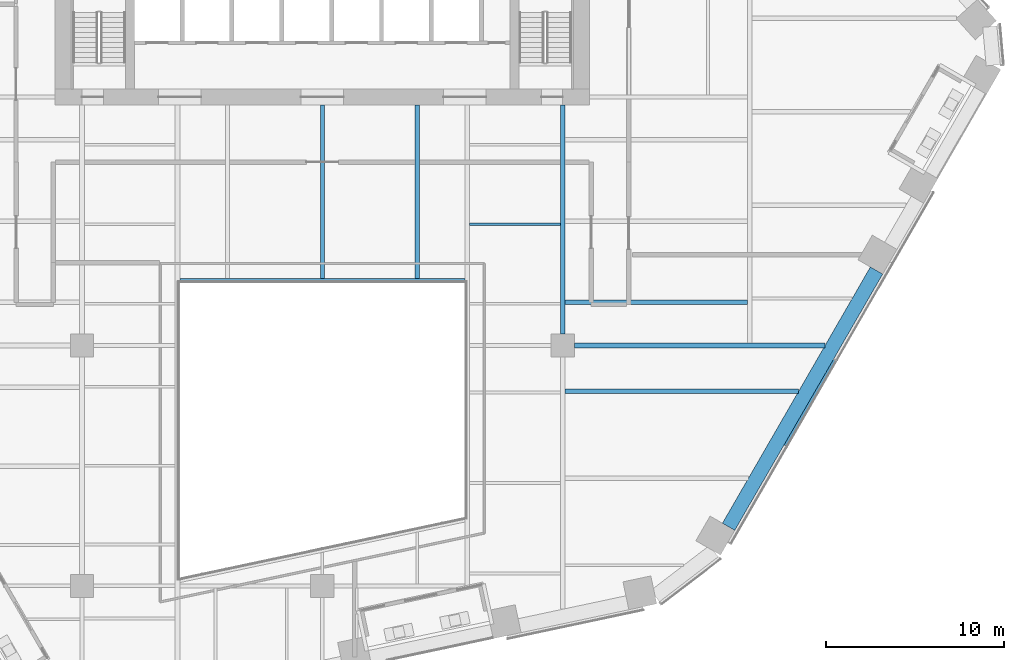
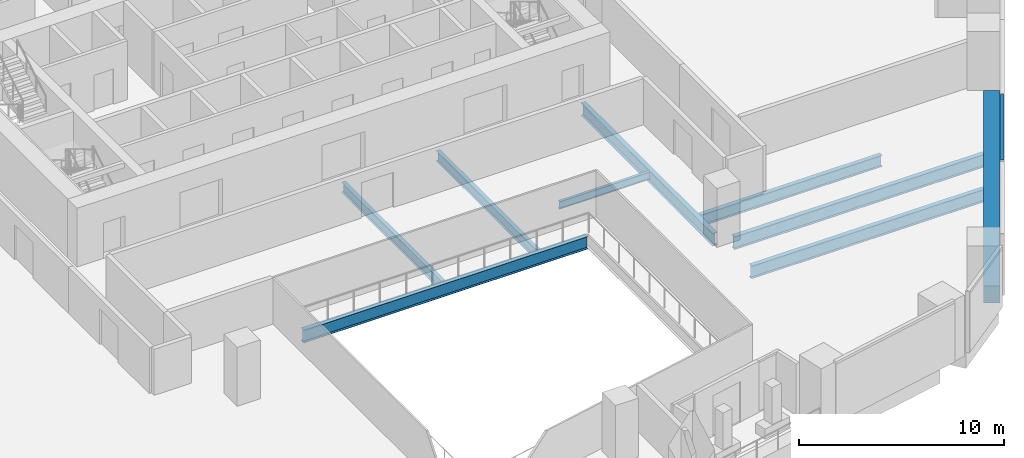
# One storey, part 8 of 28: 9 beams, 1 member, 1 element without a shape of its own.
"""IFC4 building model written with IfcOpenShell, lengths in metres."""

from ifc_helpers import new_model, si_unit, direction, frame, origin, origin_2d, place, context, subcontext, project, spatial, rectangle, i_section, extrude, material, layer, layer_set, material_profile, profile_set, type_object, element, aggregate, save


model = new_model("IFC4")

# Units and contexts
model_context = context("Model", 3, precision=1e-05, world=origin(), true_north=direction((0.0, 1.0)))
body_context = subcontext(model_context, "Body", "Model", "MODEL_VIEW")
ifc_project = project(units=[si_unit("LENGTHUNIT", "METRE"), si_unit("AREAUNIT", "SQUARE_METRE"), si_unit("VOLUMEUNIT", "CUBIC_METRE"), si_unit("PLANEANGLEUNIT", "RADIAN"), si_unit("MASSUNIT", "GRAM", prefix="KILO")], contexts=[model_context])

# Site, building, storey
site_placement = place(None, origin())
site = spatial("IfcSite", under=ifc_project, at=site_placement, CompositionType="ELEMENT")
building_placement = place(site_placement, origin())
building = spatial("IfcBuilding", under=site, at=building_placement, Name="Isthmus Gate Tower", CompositionType="ELEMENT")
storey_placement = place(building_placement, frame((0.0, 0.0, 98.89990234375)))
storey = spatial("IfcBuildingStorey", under=building, at=storey_placement, Name="L23", CompositionType="ELEMENT", Elevation=98.89990234375)

# Curtain wall, member
ifc_material_1 = material(Name="Aluminium, pale champagne anodised", Category="aluminium")
ifc_layer = layer(ifc_material_1, 0.199951171875)
ifc_layer_set = layer_set([ifc_layer], Name="CW-1 UNITISED CURTAIN WALL 200 DEEP")
curtain_wall_type = type_object("IfcCurtainWallType", Name="CW-1 UNITISED CURTAIN WALL 200 DEEP", PredefinedType="NOTDEFINED", material=ifc_layer_set)
curtain_wall_placement = place(storey_placement, origin())
curtain_wall = element("IfcCurtainWall", 1, at=curtain_wall_placement, inside=storey, type_object=curtain_wall_type, Name="CW-1 SE L23", PredefinedType="NOTDEFINED")
ifc_material_2 = material(Name="Aluminium, pale champagne anodised", Category="aluminium")
ifc_material_profile_1 = material_profile(ifc_material_2, rectangle(XDim=0.199951171875, YDim=0.14990234375, at=origin_2d()), Name="200x150")
ifc_profile_set_1 = profile_set([ifc_material_profile_1], Name="Aluminium, pale champagne anodised")
member_type = type_object("IfcMemberType", Name="CW-1 TRANSOM 200 X 150", PredefinedType="USERDEFINED", material=ifc_profile_set_1)
member_placement = place(storey_placement, frame((26.017822265625, -19.135986328125, 3.5751953125), z_axis=(0.499993363642, 0.866029235253, 0.0), x_axis=(-0.866029235253, 0.499993363642, 0.0)))
member = element("IfcMember", 2, at=member_placement, type_object=member_type, Name="CW-1 transom", ObjectType="TRANSOM", PredefinedType="USERDEFINED", context=body_context, shape_type="SweptSolid", body=[
    extrude(rectangle(XDim=0.199951171875, YDim=0.14990234375, at=origin_2d()), origin(), (0.0, 0.0, 1.0), 5.53857421875),
])
aggregate(curtain_wall, [member])

# Beams
ifc_material_3 = material(Name="Concrete f'c 70 MPa", Category="concrete")
ifc_material_profile_2 = material_profile(ifc_material_3, rectangle(XDim=0.800048828125, YDim=1.0, at=origin_2d()), Name="RC 800X1000")
ifc_profile_set_2 = profile_set([ifc_material_profile_2], Name="Concrete f'c 70 MPa")
beam_type_1 = type_object("IfcBeamType", Name="RC SPANDREL 800 X 1000", PredefinedType="SPANDREL", material=ifc_profile_set_2)
beam_1_placement = place(storey_placement, frame((31.123291015625, -9.292724609375, -0.5), z_axis=(-0.499999725976, -0.866025561992, 0.0), x_axis=(0.866025561992, -0.499999725976, 0.0)))
element("IfcBeam", 3, at=beam_1_placement, inside=storey, type_object=beam_type_1, Name="str-spandrel-L23-08", PredefinedType="SPANDREL", context=body_context, shape_type="SweptSolid", body=[
    extrude(rectangle(XDim=0.800048828125, YDim=1.0, at=origin_2d()), origin(), (0.0, 0.0, 1.0), 16.61572265625),
])
ifc_material_4 = material(Name="Structural steel ASTM A992 Gr 50", Category="steel")
ifc_material_profile_3 = material_profile(ifc_material_4, i_section(OverallWidth=0.15234375, OverallDepth=0.45068359375, WebThickness=0.0078125, FlangeThickness=0.010986328125, at=origin_2d()), Name="W18X35")
ifc_profile_set_3 = profile_set([ifc_material_profile_3], Name="Structural steel ASTM A992 Gr 50")
beam_type_2 = type_object("IfcBeamType", Name="STEEL FLOOR BEAM W18X35", PredefinedType="JOIST", material=ifc_profile_set_3)
beam_2_placement = place(storey_placement, frame((8.263427734375, -6.697509765625, -0.375244140625), z_axis=(1.0, 0.0, 0.0), x_axis=(0.0, 1.0, 0.0)))
element("IfcBeam", 4, at=beam_2_placement, inside=storey, type_object=beam_type_2, Name="str-beam-L23-27-01", PredefinedType="JOIST", context=body_context, shape_type="SweptSolid", body=[
    extrude(i_section(OverallWidth=0.15234375, OverallDepth=0.45068359375, WebThickness=0.0078125, FlangeThickness=0.010986328125, at=origin_2d()), origin(), (0.0, 0.0, 1.0), 5.104736328125),
])
ifc_material_5 = material(Name="Structural steel ASTM A992 Gr 50", Category="steel")
ifc_material_profile_4 = material_profile(ifc_material_5, i_section(OverallWidth=0.228515625, OverallDepth=0.603271484375, WebThickness=0.010986328125, FlangeThickness=0.014404296875, at=origin_2d()), Name="W24X68")
ifc_profile_set_4 = profile_set([ifc_material_profile_4], Name="Structural steel ASTM A992 Gr 50")
beam_type_3 = type_object("IfcBeamType", Name="STEEL FLOOR BEAM W24X68", PredefinedType="JOIST", material=ifc_profile_set_4)
for number, where, z_axis, x_axis, name in (
    (5, (0.0, -9.7333984375, -0.451416015625), (0.0, 1.0, 0.0), (-1.0, 0.0, 0.0), "str-beam-L23-19-01"),
    (6, (5.333251953125, -9.7333984375, -0.451416015625), (0.0, 1.0, 0.0), (-1.0, 0.0, 0.0), "str-beam-L23-19-02"),
):
    element("IfcBeam", number, at=place(storey_placement, frame(where, z_axis=z_axis, x_axis=x_axis)), inside=storey, type_object=beam_type_3, Name=name, PredefinedType="JOIST", context=body_context, shape_type="SweptSolid", body=[
        extrude(i_section(OverallWidth=0.228515625, OverallDepth=0.603271484375, WebThickness=0.010986328125, FlangeThickness=0.014404296875, at=origin_2d()), origin(), (0.0, 0.0, 1.0), 9.7333984375),
    ])
ifc_material_6 = material(Name="Structural steel ASTM A992 Gr 50", Category="steel")
ifc_material_profile_5 = material_profile(ifc_material_6, i_section(OverallWidth=0.25390625, OverallDepth=0.679443359375, WebThickness=0.010986328125, FlangeThickness=0.015869140625, at=origin_2d()), Name="W27X84")
ifc_profile_set_5 = profile_set([ifc_material_profile_5], Name="Structural steel ASTM A992 Gr 50")
beam_type_4 = type_object("IfcBeamType", Name="STEEL FLOOR BEAM W27X84", PredefinedType="JOIST", material=ifc_profile_set_5)
beam_3_placement = place(storey_placement, frame((13.6318359375, -11.0830078125, -0.489501953125), z_axis=(1.0, 0.0, 0.0), x_axis=(0.0, 1.0, 0.0)))
element("IfcBeam", 7, at=beam_3_placement, inside=storey, type_object=beam_type_4, Name="str-beam-L23-31-00", PredefinedType="JOIST", context=body_context, shape_type="SweptSolid", body=[
    extrude(i_section(OverallWidth=0.25390625, OverallDepth=0.679443359375, WebThickness=0.010986328125, FlangeThickness=0.015869140625, at=origin_2d()), origin(), (0.0, 0.0, 1.0), 10.23486328125),
])
ifc_material_7 = material(Name="Structural steel ASTM A992 Gr 50", Category="steel")
ifc_material_profile_6 = material_profile(ifc_material_7, i_section(OverallWidth=0.263427734375, OverallDepth=0.749267578125, WebThickness=0.0126953125, FlangeThickness=0.015869140625, at=origin_2d()), Name="W30X90")
ifc_profile_set_6 = profile_set([ifc_material_profile_6], Name="Structural steel ASTM A992 Gr 50")
beam_type_5 = type_object("IfcBeamType", Name="STEEL FLOOR BEAM W30X90", PredefinedType="JOIST", material=ifc_profile_set_6)
beam_4_placement = place(storey_placement, frame((13.63330078125, -16.0751953125, -0.524658203125), z_axis=(1.0, 0.0, 0.0), x_axis=(0.0, 1.0, 0.0)))
element("IfcBeam", 8, at=beam_4_placement, inside=storey, type_object=beam_type_5, Name="str-beam-L23-32-02", PredefinedType="JOIST", context=body_context, shape_type="SweptSolid", body=[
    extrude(i_section(OverallWidth=0.263427734375, OverallDepth=0.749267578125, WebThickness=0.0126953125, FlangeThickness=0.015869140625, at=origin_2d()), origin(), (0.0, 0.0, 1.0), 13.1123046875),
])
ifc_material_8 = material(Name="Structural steel ASTM A992 Gr 50", Category="steel")
ifc_material_profile_7 = material_profile(ifc_material_8, i_section(OverallWidth=0.2666015625, OverallDepth=0.7587890625, WebThickness=0.014404296875, FlangeThickness=0.01904296875, at=origin_2d()), Name="W30X108")
ifc_profile_set_7 = profile_set([ifc_material_profile_7], Name="Structural steel ASTM A992 Gr 50")
beam_type_6 = type_object("IfcBeamType", Name="STEEL GIRDER W30X108", PredefinedType="BEAM", material=ifc_profile_set_7)
beam_5_placement = place(storey_placement, frame((14.14990234375, -13.5, -0.529296875), z_axis=(1.0, 0.0, 0.0), x_axis=(0.0, 1.0, 0.0)))
element("IfcBeam", 9, at=beam_5_placement, inside=storey, type_object=beam_type_6, Name="str-girder-L23-08", PredefinedType="BEAM", context=body_context, shape_type="SweptSolid", body=[
    extrude(i_section(OverallWidth=0.2666015625, OverallDepth=0.7587890625, WebThickness=0.014404296875, FlangeThickness=0.01904296875, at=origin_2d()), origin(), (0.0, 0.0, 1.0), 14.08251953125),
])
ifc_material_9 = material(Name="Structural steel ASTM A992 Gr 50", Category="steel")
ifc_material_profile_8 = material_profile(ifc_material_9, i_section(OverallWidth=0.263427734375, OverallDepth=0.749267578125, WebThickness=0.0126953125, FlangeThickness=0.015869140625, at=origin_2d()), Name="W30X90")
ifc_profile_set_8 = profile_set([ifc_material_profile_8], Name="Structural steel ASTM A992 Gr 50")
beam_type_7 = type_object("IfcBeamType", Name="STEEL GIRDER W30X90", PredefinedType="BEAM", material=ifc_profile_set_8)
beam_6_placement = place(storey_placement, frame((13.5, -12.85009765625, -0.524658203125), z_axis=(0.0, 1.0, 0.0), x_axis=(-1.0, 0.0, 0.0)))
element("IfcBeam", 10, at=beam_6_placement, inside=storey, type_object=beam_type_7, Name="str-girder-L23-33", PredefinedType="BEAM", context=body_context, shape_type="SweptSolid", body=[
    extrude(i_section(OverallWidth=0.263427734375, OverallDepth=0.749267578125, WebThickness=0.0126953125, FlangeThickness=0.015869140625, at=origin_2d()), origin(), (0.0, 0.0, 1.0), 12.85009765625),
])
ifc_material_10 = material(Name="Structural steel ASTM A992 Gr 50", Category="steel")
ifc_material_profile_9 = material_profile(ifc_material_10, i_section(OverallWidth=0.2666015625, OverallDepth=0.7587890625, WebThickness=0.014404296875, FlangeThickness=0.01904296875, at=origin_2d()), Name="W30X108")
ifc_profile_set_9 = profile_set([ifc_material_profile_9], Name="Structural steel ASTM A992 Gr 50")
beam_type_8 = type_object("IfcBeamType", Name="STEEL TRIMMER W30X108", PredefinedType="BEAM", material=ifc_profile_set_9)
beam_7_placement = place(storey_placement, frame((8.0, -9.86669921875, -0.529296875), z_axis=(-1.0, 0.0, 0.0), x_axis=(0.0, -1.0, 0.0)))
element("IfcBeam", 11, at=beam_7_placement, inside=storey, type_object=beam_type_8, Name="str-trimmer-L23-04", PredefinedType="BEAM", context=body_context, shape_type="SweptSolid", body=[
    extrude(i_section(OverallWidth=0.2666015625, OverallDepth=0.7587890625, WebThickness=0.014404296875, FlangeThickness=0.01904296875, at=origin_2d()), origin(), (0.0, 0.0, 1.0), 16.0),
])

save(model, "model.ifc")
